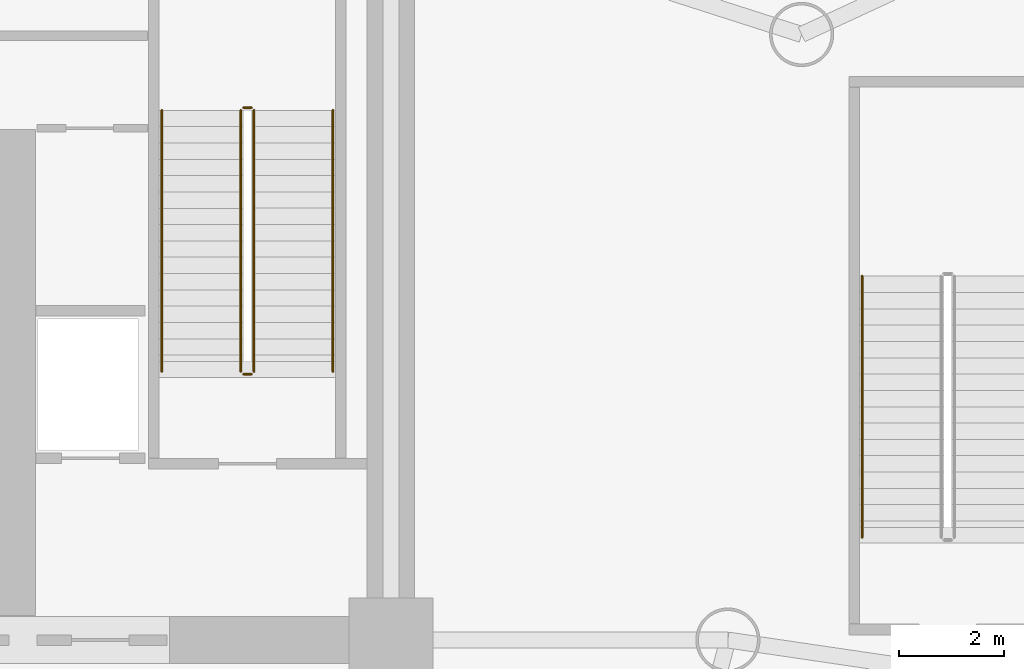
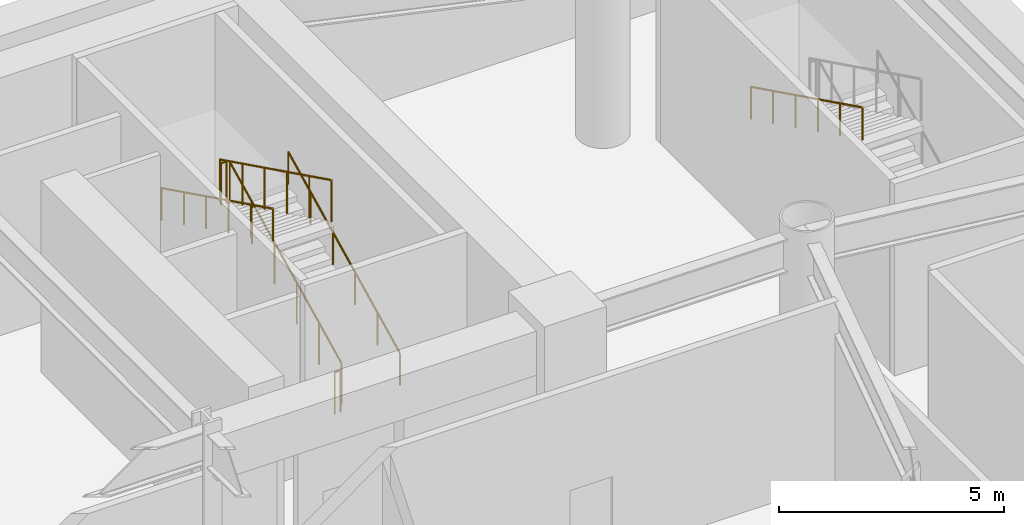
# One storey, part 7 of 9: 7 railings.
"""IFC4 building model written with IfcOpenShell, lengths in metres."""

from ifc_helpers import new_model, si_unit, direction, frame, origin, origin_2d, place, context, subcontext, project, spatial, circle, extrude, material, type_object, element, save


model = new_model("IFC4")

# Units and contexts
model_context = context("Model", 3, precision=1e-05, world=origin(), true_north=direction((0.0, 1.0)))
body_context = subcontext(model_context, "Body", "Model", "MODEL_VIEW")
ifc_project = project(units=[si_unit("LENGTHUNIT", "METRE"), si_unit("AREAUNIT", "SQUARE_METRE"), si_unit("VOLUMEUNIT", "CUBIC_METRE"), si_unit("PLANEANGLEUNIT", "RADIAN"), si_unit("MASSUNIT", "GRAM", prefix="KILO")], contexts=[model_context])

# Site, building, storey
site_placement = place(None, origin())
site = spatial("IfcSite", under=ifc_project, at=site_placement, CompositionType="ELEMENT")
building_placement = place(site_placement, origin())
building = spatial("IfcBuilding", under=site, at=building_placement, Name="Vaeldorn Concourse Tower", CompositionType="ELEMENT")
storey_placement = place(building_placement, frame((0.0, 0.0, -10.39990234375)))
storey = spatial("IfcBuildingStorey", under=building, at=storey_placement, Name="B02", CompositionType="ELEMENT", Elevation=-10.39990234375)

# Railings
ifc_material = material(Name="Anodised Bronze Aluminium", Category="aluminium")
railing_type_1 = type_object("IfcRailingType", Name="RL-STAIR-GUARD", PredefinedType="GUARDRAIL", material=ifc_material)
railing_1_placement = place(storey_placement, frame((51.39990234375, 41.60009765625, 0.15283203125)))
element("IfcRailing", 1, at=railing_1_placement, inside=storey, type_object=railing_type_1, Name="B02 ST-2 stair guard 1", PredefinedType="GUARDRAIL", context=body_context, shape_type="SweptSolid", body=[
    extrude(circle(Radius=0.02392578125, at=origin_2d()), frame((0.0, 0.0, 1.1259765625), z_axis=(0.0, 0.896798178328, 0.442439857323), x_axis=(-1.0, 0.0, 0.0)), (0.0, 0.0, 1.0), 5.53076171875),
    extrude(circle(Radius=0.02099609375, at=origin_2d()), origin(), (0.0, 0.0, 1.0), 1.101806640625),
    extrude(circle(Radius=0.02099609375, at=origin_2d()), frame((0.0, 0.991943359375, 0.489501953125)), (0.0, 0.0, 1.0), 1.101806640625),
    extrude(circle(Radius=0.02099609375, at=origin_2d()), frame((0.0, 1.98388671875, 0.978759765625)), (0.0, 0.0, 1.0), 1.101806640625),
    extrude(circle(Radius=0.02099609375, at=origin_2d()), frame((0.0, 2.97607421875, 1.46826171875)), (0.0, 0.0, 1.0), 1.101806640625),
    extrude(circle(Radius=0.02099609375, at=origin_2d()), frame((0.0, 3.968017578125, 1.95751953125)), (0.0, 0.0, 1.0), 1.101806640625),
    extrude(circle(Radius=0.02099609375, at=origin_2d()), frame((0.0, 4.9599609375, 2.447021484375)), (0.0, 0.0, 1.0), 1.101806640625),
])
railing_2_placement = place(storey_placement, frame((51.35009765625, 46.610107421875, 2.599853515625)))
element("IfcRailing", 2, at=railing_2_placement, inside=storey, type_object=railing_type_1, Name="B02 ST-2 stair guard 2", PredefinedType="GUARDRAIL", context=body_context, shape_type="SweptSolid", body=[
    extrude(circle(Radius=0.02392578125, at=origin_2d()), frame((0.0, 0.0, 1.1259765625), z_axis=(-1.0, 0.0, 0.0), x_axis=(0.0, -1.0, 0.0)), (0.0, 0.0, 1.0), 0.150146484375),
    extrude(circle(Radius=0.02099609375, at=origin_2d()), origin(), (0.0, 0.0, 1.0), 1.101806640625),
    extrude(circle(Radius=0.02099609375, at=origin_2d()), frame((-0.150146484375, 0.0, 0.0)), (0.0, 0.0, 1.0), 1.101806640625),
])
railing_3_placement = place(storey_placement, frame((51.14990234375, 46.56005859375, 2.7529296875)))
element("IfcRailing", 3, at=railing_3_placement, inside=storey, type_object=railing_type_1, Name="B02 ST-2 stair guard 3", PredefinedType="GUARDRAIL", context=body_context, shape_type="SweptSolid", body=[
    extrude(circle(Radius=0.02392578125, at=origin_2d()), frame((0.0, 0.0, 1.1259765625), z_axis=(0.0, -0.896798178328, 0.442439857323), x_axis=(1.0, 0.0, 0.0)), (0.0, 0.0, 1.0), 5.53076171875),
    extrude(circle(Radius=0.02099609375, at=origin_2d()), origin(), (0.0, 0.0, 1.0), 1.101806640625),
    extrude(circle(Radius=0.02099609375, at=origin_2d()), frame((0.0, -0.991943359375, 0.489501953125)), (0.0, 0.0, 1.0), 1.101806640625),
    extrude(circle(Radius=0.02099609375, at=origin_2d()), frame((0.0, -1.98388671875, 0.978759765625)), (0.0, 0.0, 1.0), 1.101806640625),
    extrude(circle(Radius=0.02099609375, at=origin_2d()), frame((0.0, -2.97607421875, 1.46826171875)), (0.0, 0.0, 1.0), 1.101806640625),
    extrude(circle(Radius=0.02099609375, at=origin_2d()), frame((0.0, -3.968017578125, 1.95751953125)), (0.0, 0.0, 1.0), 1.101806640625),
    extrude(circle(Radius=0.02099609375, at=origin_2d()), frame((0.0, -4.9599609375, 2.447021484375)), (0.0, 0.0, 1.0), 1.101806640625),
])
railing_4_placement = place(storey_placement, frame((51.35009765625, 41.550048828125, 0.0)))
element("IfcRailing", 4, at=railing_4_placement, inside=storey, type_object=railing_type_1, Name="B02 ST-2 stair guard 4", PredefinedType="GUARDRAIL", context=body_context, shape_type="SweptSolid", body=[
    extrude(circle(Radius=0.02392578125, at=origin_2d()), frame((0.0, 0.0, 1.1259765625), z_axis=(-1.0, 0.0, 0.0), x_axis=(0.0, -1.0, 0.0)), (0.0, 0.0, 1.0), 0.150146484375),
    extrude(circle(Radius=0.02099609375, at=origin_2d()), origin(), (0.0, 0.0, 1.0), 1.101806640625),
    extrude(circle(Radius=0.02099609375, at=origin_2d()), frame((-0.150146484375, 0.0, 0.0)), (0.0, 0.0, 1.0), 1.101806640625),
])
railing_type_2 = type_object("IfcRailingType", Name="RL-STAIR-HANDRAIL", PredefinedType="HANDRAIL", material=ifc_material)
railing_5_placement = place(storey_placement, frame((52.89990234375, 41.60009765625, 0.15283203125)))
element("IfcRailing", 5, at=railing_5_placement, inside=storey, type_object=railing_type_2, Name="B02 ST-2 stair handrail 1", PredefinedType="HANDRAIL", context=body_context, shape_type="SweptSolid", body=[
    extrude(circle(Radius=0.02392578125, at=origin_2d()), frame((0.0, 0.0, 0.8759765625), z_axis=(0.0, 0.896798178328, 0.442439857323), x_axis=(-1.0, 0.0, 0.0)), (0.0, 0.0, 1.0), 5.53076171875),
    extrude(circle(Radius=0.02099609375, at=origin_2d()), origin(), (0.0, 0.0, 1.0), 0.851806640625),
    extrude(circle(Radius=0.02099609375, at=origin_2d()), frame((0.0, 0.991943359375, 0.489501953125)), (0.0, 0.0, 1.0), 0.851806640625),
    extrude(circle(Radius=0.02099609375, at=origin_2d()), frame((0.0, 1.98388671875, 0.978759765625)), (0.0, 0.0, 1.0), 0.851806640625),
    extrude(circle(Radius=0.02099609375, at=origin_2d()), frame((0.0, 2.97607421875, 1.46826171875)), (0.0, 0.0, 1.0), 0.851806640625),
    extrude(circle(Radius=0.02099609375, at=origin_2d()), frame((0.0, 3.968017578125, 1.95751953125)), (0.0, 0.0, 1.0), 0.851806640625),
    extrude(circle(Radius=0.02099609375, at=origin_2d()), frame((0.0, 4.9599609375, 2.447021484375)), (0.0, 0.0, 1.0), 0.851806640625),
])
for number, where, name in (
    (6, (49.64990234375, 46.56005859375, 2.7529296875), "B02 ST-2 stair handrail 2"),
    (7, (62.949951171875, 43.409912109375, 2.7529296875), "B02 ST-4 stair handrail 2"),
):
    element("IfcRailing", number, at=place(storey_placement, frame(where)), inside=storey, type_object=railing_type_2, Name=name, PredefinedType="HANDRAIL", context=body_context, shape_type="SweptSolid", body=[
        extrude(circle(Radius=0.02392578125, at=origin_2d()), frame((0.0, 0.0, 0.8759765625), z_axis=(0.0, -0.896798178328, 0.442439857323), x_axis=(1.0, 0.0, 0.0)), (0.0, 0.0, 1.0), 5.53076171875),
        extrude(circle(Radius=0.02099609375, at=origin_2d()), origin(), (0.0, 0.0, 1.0), 0.851806640625),
        extrude(circle(Radius=0.02099609375, at=origin_2d()), frame((0.0, -0.991943359375, 0.489501953125)), (0.0, 0.0, 1.0), 0.851806640625),
        extrude(circle(Radius=0.02099609375, at=origin_2d()), frame((0.0, -1.98388671875, 0.978759765625)), (0.0, 0.0, 1.0), 0.851806640625),
        extrude(circle(Radius=0.02099609375, at=origin_2d()), frame((0.0, -2.97607421875, 1.46826171875)), (0.0, 0.0, 1.0), 0.851806640625),
        extrude(circle(Radius=0.02099609375, at=origin_2d()), frame((0.0, -3.968017578125, 1.95751953125)), (0.0, 0.0, 1.0), 0.851806640625),
        extrude(circle(Radius=0.02099609375, at=origin_2d()), frame((0.0, -4.9599609375, 2.447021484375)), (0.0, 0.0, 1.0), 0.851806640625),
    ])

save(model, "model.ifc")
